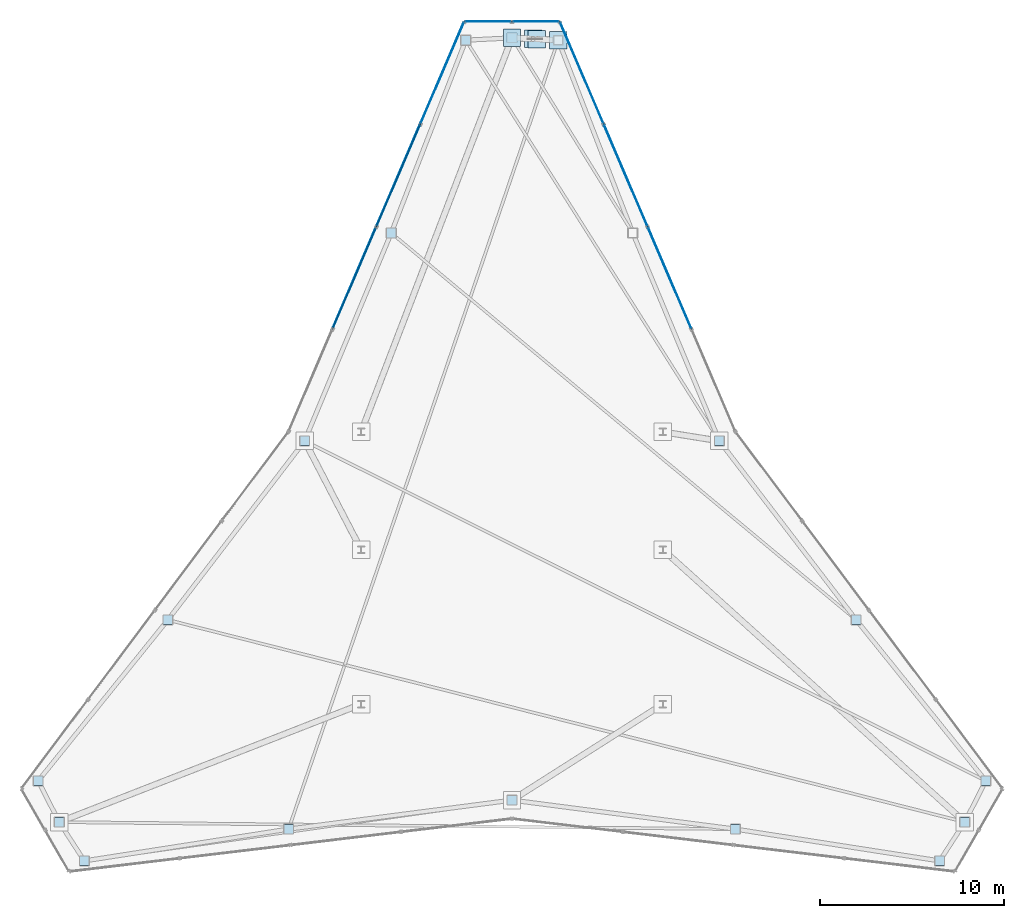
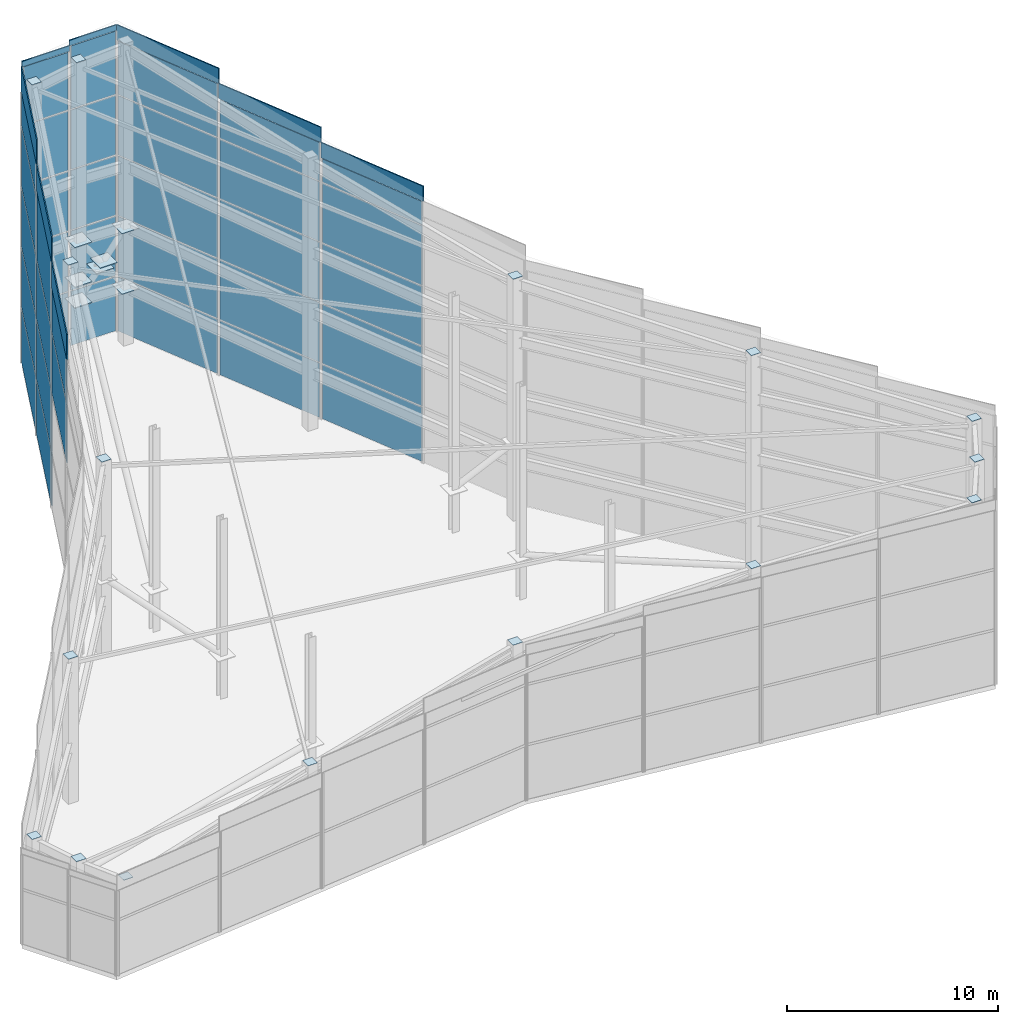
# One storey, part 16 of 17: 67 plates, 8 elements without a shape of their own.
"""IFC4 building model written with IfcOpenShell, lengths in metres."""

from ifc_helpers import new_model, si_unit, direction, frame, origin, origin_2d, place, context, subcontext, project, spatial, rectangle, extrude, source, transform, mapped, material, layer, layer_set, type_object, type_shapes, element, aggregate, save


model = new_model("IFC4")

# Units and contexts
model_context = context("Model", 3, precision=1e-05, world=origin(), true_north=direction((0.0, 1.0)))
body_context = subcontext(model_context, "Body", "Model", "MODEL_VIEW")
ifc_project = project(units=[si_unit("LENGTHUNIT", "METRE"), si_unit("AREAUNIT", "SQUARE_METRE"), si_unit("VOLUMEUNIT", "CUBIC_METRE"), si_unit("PLANEANGLEUNIT", "RADIAN"), si_unit("MASSUNIT", "GRAM", prefix="KILO")], contexts=[model_context])

# Site, building, storey
site_placement = place(None, origin())
site = spatial("IfcSite", under=ifc_project, at=site_placement, CompositionType="ELEMENT")
building_placement = place(site_placement, origin())
building = spatial("IfcBuilding", under=site, at=building_placement, Name="Varakhsha Concourse Tower", CompositionType="ELEMENT")
storey_placement = place(building_placement, frame((0.0, 0.0, 294.800048828125)))
storey = spatial("IfcBuildingStorey", under=building, at=storey_placement, Name="RF", CompositionType="ELEMENT", Elevation=294.800048828125)

# Plates
ifc_material_1 = material(Name="Structural Steel ASTM A572 Grade 50", Category="steel")
ifc_layer_1 = layer(ifc_material_1, 0.030029296875, Name="PL-ENDCAP-950")
ifc_layer_set_1 = layer_set([ifc_layer_1], Name="Structural Steel ASTM A572 Grade 50")
plate_type_1 = type_object("IfcPlateType", Name="PL-ENDCAP-950", PredefinedType="USERDEFINED", material=ifc_layer_set_1)
shared_shape_1 = source(origin(), body_context, "Body", "SweptSolid", [
    extrude(rectangle(XDim=0.949951171875, YDim=0.949951171875, at=origin_2d()), origin(), (0.0, 0.0, 1.0), 0.030029296875),
])
type_shapes(plate_type_1, [shared_shape_1])
for number, where, z_axis, x_axis, name in (
    (1, (40.0, 52.61669921875, 4.384765625), (0.0, 0.0, 1.0), (1.0, 0.0, 0.0), "Hollow Section End Cap GP-NODE-RF-0883"),
    (2, (42.510498046875, 52.48876953125, 3.18505859375), (0.0, 0.0, 1.0), (1.0, 0.0, 0.0), "Hollow Section End Cap GP-NODE-RF-0886"),
    (3, (40.0, 52.61669921875, 6.68505859375), (0.0, 0.0, 1.0), (1.0, 0.0, 0.0), "Hollow Section End Cap GP-NODE-RF-0887"),
    (4, (40.0, 52.61669921875, 3.18505859375), (0.0, 0.0, 1.0), (1.0, 0.0, 0.0), "Hollow Section End Cap GP-NODE-RF-0888"),
    (5, (41.1591796875, 52.5576171875, 4.80078125), (0.0, 0.0, 1.0), (1.0, 0.0, 0.0), "Hollow Section End Cap GP-NODE-RF-0889"),
    (6, (41.351318359375, 52.5478515625, 5.06884765625), (0.0, 0.0, 1.0), (1.0, 0.0, 0.0), "Hollow Section End Cap GP-NODE-RF-0890"),
    (7, (42.510498046875, 52.48876953125, 6.68505859375), (0.0, 0.0, 1.0), (1.0, 0.0, 0.0), "Hollow Section End Cap GP-NODE-RF-0891"),
):
    element("IfcPlate", number, at=place(storey_placement, frame(where, z_axis=z_axis, x_axis=x_axis)), inside=storey, type_object=plate_type_1, Name=name, ObjectType="END PLATE", PredefinedType="USERDEFINED", context=body_context, shape_type="MappedRepresentation", body=[
        mapped(shared_shape_1, transform((0.0, 0.0, 0.0), scale=1.0)),
    ])
ifc_layer_2 = layer(ifc_material_1, 0.02490234375, Name="PL-ENDCAP-500")
ifc_layer_set_2 = layer_set([ifc_layer_2], Name="Structural Steel ASTM A572 Grade 50")
plate_type_2 = type_object("IfcPlateType", Name="PL-ENDCAP-500", PredefinedType="USERDEFINED", material=ifc_layer_set_2)
shared_shape_2 = source(origin(), body_context, "Body", "SweptSolid", [
    extrude(rectangle(XDim=0.52001953125, YDim=0.52001953125, at=origin_2d()), origin(), (0.0, 0.0, 1.0), 0.02490234375),
])
type_shapes(plate_type_2, [shared_shape_2])
for number, where, z_axis, x_axis, name in (
    (8, (40.0, 52.61669921875, 17.1923828125), (0.0, 0.0, 1.0), (1.0, 0.0, 0.0), "Hollow Section End Cap EP-CP02-TOP"),
    (9, (37.489501953125, 52.48876953125, 16.864501953125), (0.0, 0.0, 1.0), (1.0, 0.0, 0.0), "Hollow Section End Cap EP-CP03-TOP"),
    (10, (33.43505859375, 42.008544921875, 14.19873046875), (0.0, 0.0, 1.0), (1.0, 0.0, 0.0), "Hollow Section End Cap EP-CP04-TOP"),
    (11, (28.728759765625, 30.70751953125, 11.2841796875), (0.0, 0.0, 1.0), (1.0, 0.0, 0.0), "Hollow Section End Cap EP-CP05-TOP"),
    (12, (21.294921875, 20.981201171875, 8.36962890625), (0.0, 0.0, 1.0), (1.0, 0.0, 0.0), "Hollow Section End Cap EP-CP06-TOP"),
    (13, (14.24609375, 12.229736328125, 5.703857421875), (0.0, 0.0, 1.0), (1.0, 0.0, 0.0), "Hollow Section End Cap EP-CP07-TOP"),
    (14, (15.390380859375, 9.99169921875, 5.3759765625), (0.0, 0.0, 1.0), (1.0, 0.0, 0.0), "Hollow Section End Cap EP-CP08-TOP"),
    (15, (16.756591796875, 7.881591796875, 5.101318359375), (0.0, 0.0, 1.0), (1.0, 0.0, 0.0), "Hollow Section End Cap EP-CP09-TOP"),
    (16, (27.85986328125, 9.6103515625, 6.79345703125), (0.0, 0.0, 1.0), (1.0, 0.0, 0.0), "Hollow Section End Cap EP-CP10-TOP"),
    (17, (40.0, 11.18505859375, 8.578125), (0.0, 0.0, 1.0), (1.0, 0.0, 0.0), "Hollow Section End Cap EP-CP11-TOP"),
    (18, (52.14013671875, 9.6103515625, 9.7080078125), (0.0, 0.0, 1.0), (1.0, 0.0, 0.0), "Hollow Section End Cap EP-CP12-TOP"),
    (19, (63.243408203125, 7.881591796875, 10.681396484375), (0.0, 0.0, 1.0), (1.0, 0.0, 0.0), "Hollow Section End Cap EP-CP13-TOP"),
    (20, (64.609619140625, 9.99169921875, 11.2841796875), (0.0, 0.0, 1.0), (1.0, 0.0, 0.0), "Hollow Section End Cap EP-CP14-TOP"),
    (21, (65.75390625, 12.229736328125, 11.886962890625), (0.0, 0.0, 1.0), (1.0, 0.0, 0.0), "Hollow Section End Cap EP-CP15-TOP"),
    (22, (58.705078125, 20.981201171875, 12.8603515625), (0.0, 0.0, 1.0), (1.0, 0.0, 0.0), "Hollow Section End Cap EP-CP16-TOP"),
    (23, (51.271240234375, 30.70751953125, 13.990234375), (0.0, 0.0, 1.0), (1.0, 0.0, 0.0), "Hollow Section End Cap EP-CP17-TOP"),
):
    element("IfcPlate", number, at=place(storey_placement, frame(where, z_axis=z_axis, x_axis=x_axis)), inside=storey, type_object=plate_type_2, Name=name, ObjectType="END PLATE", PredefinedType="USERDEFINED", context=body_context, shape_type="MappedRepresentation", body=[
        mapped(shared_shape_2, transform((0.0, 0.0, 0.0), scale=1.0)),
    ])

# Curtain wall, plate
ifc_material_2 = material(Name="Anodised Bronze Architectural Aluminium AA 6063-T6", Category="aluminium")
ifc_layer_3 = layer(ifc_material_2, 0.219970703125, Name="CW-SYS-07")
ifc_layer_set_3 = layer_set([ifc_layer_3], Name="Anodised Bronze Architectural Aluminium AA 6063-T6")
curtain_wall_type = type_object("IfcCurtainWallType", Name="CW-SYS-07", PredefinedType="NOTDEFINED", material=ifc_layer_set_3)
curtain_wall_1_placement = place(storey_placement, origin())
curtain_wall_1 = element("IfcCurtainWall", 24, at=curtain_wall_1_placement, inside=storey, type_object=curtain_wall_type, Name="Slanted Crown Curtain Wall F1-S1", PredefinedType="NOTDEFINED")
ifc_material_3 = material(Name="Insulated Anodised Bronze Aluminium Spandrel 36 mm", Category="aluminium")
ifc_layer_4 = layer(ifc_material_3, 0.035888671875, Name="CWP-SPN-36")
ifc_layer_set_4 = layer_set([ifc_layer_4], Name="Insulated Anodised Bronze Aluminium Spandrel 36 mm")
plate_type_3 = type_object("IfcPlateType", Name="CWP-SPN-36", PredefinedType="USERDEFINED", material=ifc_layer_set_4)
shared_shape_3 = source(origin(), body_context, "Body", "SweptSolid", [
    extrude(rectangle(XDim=2.430908203125, YDim=0.035888671875, at=origin_2d()), origin(), (0.0, 0.0, 1.0), 3.135986328125),
])
plate_1_placement = place(storey_placement, frame((41.300048828125, 53.49658203125, 0.03173828125), z_axis=(0.0, 0.0, 1.0), x_axis=(1.0, 0.0, 0.0)))
plate_1 = element("IfcPlate", 25, at=plate_1_placement, type_object=plate_type_3, Name="CW-RF-F1S1 Panel 00-00", ObjectType="SPANDREL", PredefinedType="USERDEFINED", context=body_context, shape_type="MappedRepresentation", body=[
    mapped(shared_shape_3, transform((0.0, 0.0, 0.0), scale=1.0)),
])

curtain_wall_2_placement = place(storey_placement, origin())
curtain_wall_2 = element("IfcCurtainWall", 26, at=curtain_wall_2_placement, inside=storey, type_object=curtain_wall_type, Name="Slanted Crown Curtain Wall F1-S2", PredefinedType="NOTDEFINED")
plate_2_placement = place(storey_placement, frame((38.699951171875, 53.49658203125, 0.03173828125), z_axis=(0.0, 0.0, 1.0), x_axis=(1.0, 0.0, 0.0)))
plate_2 = element("IfcPlate", 27, at=plate_2_placement, type_object=plate_type_3, Name="CW-RF-F1S2 Panel 00-00", ObjectType="SPANDREL", PredefinedType="USERDEFINED", context=body_context, shape_type="MappedRepresentation", body=[
    mapped(shared_shape_3, transform((0.0, 0.0, 0.0), scale=1.0)),
])

# Plate
shared_shape_4 = source(origin(), body_context, "Body", "SweptSolid", [
    extrude(rectangle(XDim=2.430908203125, YDim=0.035888671875, at=origin_2d()), origin(), (0.0, 0.0, 1.0), 3.43603515625),
])
plate_3_placement = place(storey_placement, frame((41.300048828125, 53.49658203125, 3.23193359375), z_axis=(0.0, 0.0, 1.0), x_axis=(1.0, 0.0, 0.0)))
plate_3 = element("IfcPlate", 28, at=plate_3_placement, type_object=plate_type_3, Name="CW-RF-F1S1 Panel 00-01", ObjectType="SPANDREL", PredefinedType="USERDEFINED", context=body_context, shape_type="MappedRepresentation", body=[
    mapped(shared_shape_4, transform((0.0, 0.0, 0.0), scale=1.0)),
])

plate_4_placement = place(storey_placement, frame((41.300048828125, 53.49658203125, 6.73193359375), z_axis=(0.0, 0.0, 1.0), x_axis=(1.0, 0.0, 0.0)))
plate_4 = element("IfcPlate", 29, at=plate_4_placement, type_object=plate_type_3, Name="CW-RF-F1S1 Panel 00-02", ObjectType="SPANDREL", PredefinedType="USERDEFINED", context=body_context, shape_type="MappedRepresentation", body=[
    mapped(shared_shape_4, transform((0.0, 0.0, 0.0), scale=1.0)),
])

plate_5_placement = place(storey_placement, frame((41.300048828125, 53.49658203125, 10.23193359375), z_axis=(0.0, 0.0, 1.0), x_axis=(1.0, 0.0, 0.0)))
plate_5 = element("IfcPlate", 30, at=plate_5_placement, type_object=plate_type_3, Name="CW-RF-F1S1 Panel 00-03", ObjectType="SPANDREL", PredefinedType="USERDEFINED", context=body_context, shape_type="MappedRepresentation", body=[
    mapped(shared_shape_4, transform((0.0, 0.0, 0.0), scale=1.0)),
])

plate_6_placement = place(storey_placement, frame((38.699951171875, 53.49658203125, 3.23193359375), z_axis=(0.0, 0.0, 1.0), x_axis=(1.0, 0.0, 0.0)))
plate_6 = element("IfcPlate", 31, at=plate_6_placement, type_object=plate_type_3, Name="CW-RF-F1S2 Panel 00-01", ObjectType="SPANDREL", PredefinedType="USERDEFINED", context=body_context, shape_type="MappedRepresentation", body=[
    mapped(shared_shape_4, transform((0.0, 0.0, 0.0), scale=1.0)),
])

plate_7_placement = place(storey_placement, frame((38.699951171875, 53.49658203125, 6.73193359375), z_axis=(0.0, 0.0, 1.0), x_axis=(1.0, 0.0, 0.0)))
plate_7 = element("IfcPlate", 32, at=plate_7_placement, type_object=plate_type_3, Name="CW-RF-F1S2 Panel 00-02", ObjectType="SPANDREL", PredefinedType="USERDEFINED", context=body_context, shape_type="MappedRepresentation", body=[
    mapped(shared_shape_4, transform((0.0, 0.0, 0.0), scale=1.0)),
])

plate_8_placement = place(storey_placement, frame((38.699951171875, 53.49658203125, 10.23193359375), z_axis=(0.0, 0.0, 1.0), x_axis=(1.0, 0.0, 0.0)))
plate_8 = element("IfcPlate", 33, at=plate_8_placement, type_object=plate_type_3, Name="CW-RF-F1S2 Panel 00-03", ObjectType="SPANDREL", PredefinedType="USERDEFINED", context=body_context, shape_type="MappedRepresentation", body=[
    mapped(shared_shape_4, transform((0.0, 0.0, 0.0), scale=1.0)),
])

shared_shape_5 = source(origin(), body_context, "Body", "SweptSolid", [
    extrude(rectangle(XDim=2.430908203125, YDim=0.035888671875, at=origin_2d()), origin(), (0.0, 0.0, 1.0), 3.65380859375),
])
plate_9_placement = place(storey_placement, frame((41.300048828125, 53.49658203125, 13.73193359375), z_axis=(0.0, 0.0, 1.0), x_axis=(1.0, 0.0, 0.0)))
plate_9 = element("IfcPlate", 34, at=plate_9_placement, type_object=plate_type_3, Name="CW-RF-F1S1 Panel 00-04", ObjectType="SPANDREL", PredefinedType="USERDEFINED", context=body_context, shape_type="MappedRepresentation", body=[
    mapped(shared_shape_5, transform((0.0, 0.0, 0.0), scale=1.0)),
])

aggregate(curtain_wall_1, [plate_1, plate_3, plate_4, plate_5, plate_9])

# Plates
shared_shape_6 = source(origin(), body_context, "Body", "SweptSolid", [
    extrude(rectangle(XDim=2.60009765625, YDim=0.06005859375, at=origin_2d()), origin(), (0.0, 0.0, 1.0), 0.320068359375),
])
for number, where, z_axis, x_axis, name in (
    (35, (41.300048828125, 53.49658203125, 17.4296875), (0.0, 0.0, 1.0), (1.0, 0.0, 0.0), "Crown Sloped Fascia Wedge Closure F1-S1"),
    (36, (38.699951171875, 53.49658203125, 17.11767578125), (0.0, 0.0, 1.0), (1.0, 0.0, 0.0), "Crown Sloped Fascia Wedge Closure F1-S2"),
):
    element("IfcPlate", number, at=place(storey_placement, frame(where, z_axis=z_axis, x_axis=x_axis)), inside=storey, type_object=plate_type_3, Name=name, ObjectType="SPANDREL", PredefinedType="USERDEFINED", context=body_context, shape_type="MappedRepresentation", body=[
        mapped(shared_shape_6, transform((0.0, 0.0, 0.0), scale=1.0)),
    ])

# Plate
shared_shape_7 = source(origin(), body_context, "Body", "SweptSolid", [
    extrude(rectangle(XDim=2.430908203125, YDim=0.035888671875, at=origin_2d()), origin(), (0.0, 0.0, 1.0), 3.341796875),
])
plate_10_placement = place(storey_placement, frame((38.699951171875, 53.49658203125, 13.73193359375), z_axis=(0.0, 0.0, 1.0), x_axis=(1.0, 0.0, 0.0)))
plate_10 = element("IfcPlate", 37, at=plate_10_placement, type_object=plate_type_3, Name="CW-RF-F1S2 Panel 00-04", ObjectType="SPANDREL", PredefinedType="USERDEFINED", context=body_context, shape_type="MappedRepresentation", body=[
    mapped(shared_shape_7, transform((0.0, 0.0, 0.0), scale=1.0)),
])

aggregate(curtain_wall_2, [plate_2, plate_6, plate_7, plate_8, plate_10])

# Curtain wall, plate
curtain_wall_3_placement = place(storey_placement, origin())
curtain_wall_3 = element("IfcCurtainWall", 38, at=curtain_wall_3_placement, inside=storey, type_object=curtain_wall_type, Name="Slanted Crown Curtain Wall F2-S1", PredefinedType="NOTDEFINED")
ifc_material_4 = material(Name="Low-E Triple Insulating Glass IGU 44 mm", Category="glass")
ifc_layer_5 = layer(ifc_material_4, 0.0439453125, Name="CWP-IGU-44")
ifc_layer_set_5 = layer_set([ifc_layer_5], Name="Low-E Triple Insulating Glass IGU 44 mm")
plate_type_4 = type_object("IfcPlateType", Name="CWP-IGU-44", PredefinedType="CURTAIN_PANEL", material=ifc_layer_set_5)
shared_shape_8 = source(origin(), body_context, "Body", "SweptSolid", [
    extrude(rectangle(XDim=5.8916015625, YDim=0.0439453125, at=origin_2d()), origin(), (0.0, 0.0, 1.0), 3.135986328125),
])
plate_11_placement = place(storey_placement, frame((36.20654296875, 50.711181640625, 0.03173828125), z_axis=(0.0, 0.0, 1.0), x_axis=(0.393840843001, 0.919178649874, 0.0)))
plate_11 = element("IfcPlate", 39, at=plate_11_placement, type_object=plate_type_4, Name="CW-RF-F2S1 Panel 00-00", PredefinedType="CURTAIN_PANEL", context=body_context, shape_type="MappedRepresentation", body=[
    mapped(shared_shape_8, transform((0.0, 0.0, 0.0), scale=1.0)),
])

curtain_wall_4_placement = place(storey_placement, origin())
curtain_wall_4 = element("IfcCurtainWall", 40, at=curtain_wall_4_placement, inside=storey, type_object=curtain_wall_type, Name="Slanted Crown Curtain Wall F2-S2", PredefinedType="NOTDEFINED")
plate_12_placement = place(storey_placement, frame((33.819580078125, 45.140380859375, 0.03173828125), z_axis=(0.0, 0.0, 1.0), x_axis=(0.393855281377, 0.919172463323, 0.0)))
plate_12 = element("IfcPlate", 41, at=plate_12_placement, type_object=plate_type_4, Name="CW-RF-F2S2 Panel 00-00", PredefinedType="CURTAIN_PANEL", context=body_context, shape_type="MappedRepresentation", body=[
    mapped(shared_shape_8, transform((0.0, 0.0, 0.0), scale=1.0)),
])

curtain_wall_5_placement = place(storey_placement, origin())
curtain_wall_5 = element("IfcCurtainWall", 42, at=curtain_wall_5_placement, inside=storey, type_object=curtain_wall_type, Name="Slanted Crown Curtain Wall F9-S2", PredefinedType="NOTDEFINED")
plate_13_placement = place(storey_placement, frame((48.5673828125, 39.569580078125, 0.03173828125), z_axis=(0.0, 0.0, 1.0), x_axis=(0.393840843001, -0.919178649874, 0.0)))
plate_13 = element("IfcPlate", 43, at=plate_13_placement, type_object=plate_type_4, Name="CW-RF-F9S2 Panel 00-00", PredefinedType="CURTAIN_PANEL", context=body_context, shape_type="MappedRepresentation", body=[
    mapped(shared_shape_8, transform((0.0, 0.0, 0.0), scale=1.0)),
])

curtain_wall_6_placement = place(storey_placement, origin())
curtain_wall_6 = element("IfcCurtainWall", 44, at=curtain_wall_6_placement, inside=storey, type_object=curtain_wall_type, Name="Slanted Crown Curtain Wall F9-S3", PredefinedType="NOTDEFINED")
plate_14_placement = place(storey_placement, frame((46.180419921875, 45.140380859375, 0.03173828125), z_axis=(0.0, 0.0, 1.0), x_axis=(0.393855281377, -0.919172463323, 0.0)))
plate_14 = element("IfcPlate", 45, at=plate_14_placement, type_object=plate_type_4, Name="CW-RF-F9S3 Panel 00-00", PredefinedType="CURTAIN_PANEL", context=body_context, shape_type="MappedRepresentation", body=[
    mapped(shared_shape_8, transform((0.0, 0.0, 0.0), scale=1.0)),
])

# Plate
shared_shape_9 = source(origin(), body_context, "Body", "SweptSolid", [
    extrude(rectangle(XDim=5.8916015625, YDim=0.0439453125, at=origin_2d()), origin(), (0.0, 0.0, 1.0), 3.43603515625),
])
type_shapes(plate_type_4, [shared_shape_8, shared_shape_9])
plate_15_placement = place(storey_placement, frame((36.20654296875, 50.711181640625, 3.23193359375), z_axis=(0.0, 0.0, 1.0), x_axis=(0.393840843001, 0.919178649874, 0.0)))
plate_15 = element("IfcPlate", 46, at=plate_15_placement, type_object=plate_type_4, Name="CW-RF-F2S1 Panel 00-01", PredefinedType="CURTAIN_PANEL", context=body_context, shape_type="MappedRepresentation", body=[
    mapped(shared_shape_9, transform((0.0, 0.0, 0.0), scale=1.0)),
])

plate_16_placement = place(storey_placement, frame((36.20654296875, 50.711181640625, 6.73193359375), z_axis=(0.0, 0.0, 1.0), x_axis=(0.393840843001, 0.919178649874, 0.0)))
plate_16 = element("IfcPlate", 47, at=plate_16_placement, type_object=plate_type_4, Name="CW-RF-F2S1 Panel 00-02", PredefinedType="CURTAIN_PANEL", context=body_context, shape_type="MappedRepresentation", body=[
    mapped(shared_shape_9, transform((0.0, 0.0, 0.0), scale=1.0)),
])

plate_17_placement = place(storey_placement, frame((36.20654296875, 50.711181640625, 10.23193359375), z_axis=(0.0, 0.0, 1.0), x_axis=(0.393840843001, 0.919178649874, 0.0)))
plate_17 = element("IfcPlate", 48, at=plate_17_placement, type_object=plate_type_4, Name="CW-RF-F2S1 Panel 00-03", PredefinedType="CURTAIN_PANEL", context=body_context, shape_type="MappedRepresentation", body=[
    mapped(shared_shape_9, transform((0.0, 0.0, 0.0), scale=1.0)),
])

plate_18_placement = place(storey_placement, frame((33.819580078125, 45.140380859375, 3.23193359375), z_axis=(0.0, 0.0, 1.0), x_axis=(0.393855281377, 0.919172463323, 0.0)))
plate_18 = element("IfcPlate", 49, at=plate_18_placement, type_object=plate_type_4, Name="CW-RF-F2S2 Panel 00-01", PredefinedType="CURTAIN_PANEL", context=body_context, shape_type="MappedRepresentation", body=[
    mapped(shared_shape_9, transform((0.0, 0.0, 0.0), scale=1.0)),
])

plate_19_placement = place(storey_placement, frame((33.819580078125, 45.140380859375, 6.73193359375), z_axis=(0.0, 0.0, 1.0), x_axis=(0.393855281377, 0.919172463323, 0.0)))
plate_19 = element("IfcPlate", 50, at=plate_19_placement, type_object=plate_type_4, Name="CW-RF-F2S2 Panel 00-02", PredefinedType="CURTAIN_PANEL", context=body_context, shape_type="MappedRepresentation", body=[
    mapped(shared_shape_9, transform((0.0, 0.0, 0.0), scale=1.0)),
])

# Curtain wall, plate
curtain_wall_7_placement = place(storey_placement, origin())
curtain_wall_7 = element("IfcCurtainWall", 51, at=curtain_wall_7_placement, inside=storey, type_object=curtain_wall_type, Name="Slanted Crown Curtain Wall F2-S3", PredefinedType="NOTDEFINED")
plate_20_placement = place(storey_placement, frame((31.4326171875, 39.569580078125, 6.73193359375), z_axis=(0.0, 0.0, 1.0), x_axis=(0.393840843001, 0.919178649874, 0.0)))
plate_20 = element("IfcPlate", 52, at=plate_20_placement, type_object=plate_type_4, Name="CW-RF-F2S3 Panel 00-02", PredefinedType="CURTAIN_PANEL", context=body_context, shape_type="MappedRepresentation", body=[
    mapped(shared_shape_9, transform((0.0, 0.0, 0.0), scale=1.0)),
])

# Plate
plate_21_placement = place(storey_placement, frame((48.5673828125, 39.569580078125, 3.23193359375), z_axis=(0.0, 0.0, 1.0), x_axis=(0.393840843001, -0.919178649874, 0.0)))
plate_21 = element("IfcPlate", 53, at=plate_21_placement, type_object=plate_type_4, Name="CW-RF-F9S2 Panel 00-01", PredefinedType="CURTAIN_PANEL", context=body_context, shape_type="MappedRepresentation", body=[
    mapped(shared_shape_9, transform((0.0, 0.0, 0.0), scale=1.0)),
])

plate_22_placement = place(storey_placement, frame((48.5673828125, 39.569580078125, 6.73193359375), z_axis=(0.0, 0.0, 1.0), x_axis=(0.393840843001, -0.919178649874, 0.0)))
plate_22 = element("IfcPlate", 54, at=plate_22_placement, type_object=plate_type_4, Name="CW-RF-F9S2 Panel 00-02", PredefinedType="CURTAIN_PANEL", context=body_context, shape_type="MappedRepresentation", body=[
    mapped(shared_shape_9, transform((0.0, 0.0, 0.0), scale=1.0)),
])

plate_23_placement = place(storey_placement, frame((48.5673828125, 39.569580078125, 10.23193359375), z_axis=(0.0, 0.0, 1.0), x_axis=(0.393840843001, -0.919178649874, 0.0)))
plate_23 = element("IfcPlate", 55, at=plate_23_placement, type_object=plate_type_4, Name="CW-RF-F9S2 Panel 00-03", PredefinedType="CURTAIN_PANEL", context=body_context, shape_type="MappedRepresentation", body=[
    mapped(shared_shape_9, transform((0.0, 0.0, 0.0), scale=1.0)),
])

plate_24_placement = place(storey_placement, frame((46.180419921875, 45.140380859375, 3.23193359375), z_axis=(0.0, 0.0, 1.0), x_axis=(0.393855281377, -0.919172463323, 0.0)))
plate_24 = element("IfcPlate", 56, at=plate_24_placement, type_object=plate_type_4, Name="CW-RF-F9S3 Panel 00-01", PredefinedType="CURTAIN_PANEL", context=body_context, shape_type="MappedRepresentation", body=[
    mapped(shared_shape_9, transform((0.0, 0.0, 0.0), scale=1.0)),
])

plate_25_placement = place(storey_placement, frame((46.180419921875, 45.140380859375, 6.73193359375), z_axis=(0.0, 0.0, 1.0), x_axis=(0.393855281377, -0.919172463323, 0.0)))
plate_25 = element("IfcPlate", 57, at=plate_25_placement, type_object=plate_type_4, Name="CW-RF-F9S3 Panel 00-02", PredefinedType="CURTAIN_PANEL", context=body_context, shape_type="MappedRepresentation", body=[
    mapped(shared_shape_9, transform((0.0, 0.0, 0.0), scale=1.0)),
])

plate_26_placement = place(storey_placement, frame((46.180419921875, 45.140380859375, 10.23193359375), z_axis=(0.0, 0.0, 1.0), x_axis=(0.393855281377, -0.919172463323, 0.0)))
plate_26 = element("IfcPlate", 58, at=plate_26_placement, type_object=plate_type_4, Name="CW-RF-F9S3 Panel 00-03", PredefinedType="CURTAIN_PANEL", context=body_context, shape_type="MappedRepresentation", body=[
    mapped(shared_shape_9, transform((0.0, 0.0, 0.0), scale=1.0)),
])

shared_shape_10 = source(origin(), body_context, "Body", "SweptSolid", [
    extrude(rectangle(XDim=5.8916015625, YDim=0.035888671875, at=origin_2d()), origin(), (0.0, 0.0, 1.0), 1.89697265625),
])
plate_27_placement = place(storey_placement, frame((36.20654296875, 50.711181640625, 13.73193359375), z_axis=(0.0, 0.0, 1.0), x_axis=(0.393840843001, 0.919178649874, 0.0)))
plate_27 = element("IfcPlate", 59, at=plate_27_placement, type_object=plate_type_3, Name="CW-RF-F2S1 Panel 00-04", ObjectType="SPANDREL", PredefinedType="USERDEFINED", context=body_context, shape_type="MappedRepresentation", body=[
    mapped(shared_shape_10, transform((0.0, 0.0, 0.0), scale=1.0)),
])

aggregate(curtain_wall_3, [plate_11, plate_15, plate_16, plate_17, plate_27])

shared_shape_11 = source(origin(), body_context, "Body", "SweptSolid", [
    extrude(rectangle(XDim=6.060546875, YDim=0.06005859375, at=origin_2d()), origin(), (0.0, 0.0, 1.0), 1.452880859375),
])
plate_28_placement = place(storey_placement, frame((36.20654296875, 50.711181640625, 15.6728515625), z_axis=(0.0, 0.0, 1.0), x_axis=(0.393845655803, 0.919176587716, 0.0)))
element("IfcPlate", 60, at=plate_28_placement, inside=storey, type_object=plate_type_3, Name="Crown Sloped Fascia Wedge Closure F2-S1", ObjectType="SPANDREL", PredefinedType="USERDEFINED", context=body_context, shape_type="MappedRepresentation", body=[
    mapped(shared_shape_11, transform((0.0, 0.0, 0.0), scale=1.0)),
])

shared_shape_12 = source(origin(), body_context, "Body", "SweptSolid", [
    extrude(rectangle(XDim=5.8916015625, YDim=0.035888671875, at=origin_2d()), origin(), (0.0, 0.0, 1.0), 3.9521484375),
])
plate_29_placement = place(storey_placement, frame((33.819580078125, 45.140380859375, 10.23193359375), z_axis=(0.0, 0.0, 1.0), x_axis=(0.393855281377, 0.919172463323, 0.0)))
plate_29 = element("IfcPlate", 61, at=plate_29_placement, type_object=plate_type_3, Name="CW-RF-F2S2 Panel 00-03", ObjectType="SPANDREL", PredefinedType="USERDEFINED", context=body_context, shape_type="MappedRepresentation", body=[
    mapped(shared_shape_12, transform((0.0, 0.0, 0.0), scale=1.0)),
])

aggregate(curtain_wall_4, [plate_12, plate_18, plate_19, plate_29])

shared_shape_13 = source(origin(), body_context, "Body", "SweptSolid", [
    extrude(rectangle(XDim=6.060791015625, YDim=0.06005859375, at=origin_2d()), origin(), (0.0, 0.0, 1.0), 1.452880859375),
])
plate_30_placement = place(storey_placement, frame((33.819580078125, 45.140380859375, 14.22802734375), z_axis=(0.0, 0.0, 1.0), x_axis=(0.393845655803, 0.919176587716, 0.0)))
element("IfcPlate", 62, at=plate_30_placement, inside=storey, type_object=plate_type_3, Name="Crown Sloped Fascia Wedge Closure F2-S2", ObjectType="SPANDREL", PredefinedType="USERDEFINED", context=body_context, shape_type="MappedRepresentation", body=[
    mapped(shared_shape_13, transform((0.0, 0.0, 0.0), scale=1.0)),
])

shared_shape_14 = source(origin(), body_context, "Body", "SweptSolid", [
    extrude(rectangle(XDim=5.8916015625, YDim=0.035888671875, at=origin_2d()), origin(), (0.0, 0.0, 1.0), 2.507568359375),
])
plate_31_placement = place(storey_placement, frame((31.4326171875, 39.569580078125, 10.23193359375), z_axis=(0.0, 0.0, 1.0), x_axis=(0.393840843001, 0.919178649874, 0.0)))
plate_31 = element("IfcPlate", 63, at=plate_31_placement, type_object=plate_type_3, Name="CW-RF-F2S3 Panel 00-03", ObjectType="SPANDREL", PredefinedType="USERDEFINED", context=body_context, shape_type="MappedRepresentation", body=[
    mapped(shared_shape_14, transform((0.0, 0.0, 0.0), scale=1.0)),
])

aggregate(curtain_wall_7, [plate_20, plate_31])

shared_shape_15 = source(origin(), body_context, "Body", "SweptSolid", [
    extrude(rectangle(XDim=6.060546875, YDim=0.06005859375, at=origin_2d()), origin(), (0.0, 0.0, 1.0), 1.45263671875),
])
plate_32_placement = place(storey_placement, frame((31.4326171875, 39.569580078125, 12.783447265625), z_axis=(0.0, 0.0, 1.0), x_axis=(0.393845655803, 0.919176587716, 0.0)))
element("IfcPlate", 64, at=plate_32_placement, inside=storey, type_object=plate_type_3, Name="Crown Sloped Fascia Wedge Closure F2-S3", ObjectType="SPANDREL", PredefinedType="USERDEFINED", context=body_context, shape_type="MappedRepresentation", body=[
    mapped(shared_shape_15, transform((0.0, 0.0, 0.0), scale=1.0)),
])

# Curtain wall, plates
curtain_wall_8_placement = place(storey_placement, origin())
curtain_wall_8 = element("IfcCurtainWall", 65, at=curtain_wall_8_placement, inside=storey, type_object=curtain_wall_type, Name="Slanted Crown Curtain Wall F9-S4", PredefinedType="NOTDEFINED")
shared_shape_16 = source(origin(), body_context, "Body", "SweptSolid", [
    extrude(rectangle(XDim=5.8916015625, YDim=0.035888671875, at=origin_2d()), origin(), (0.0, 0.0, 1.0), 3.135986328125),
])
plate_33_placement = place(storey_placement, frame((43.79345703125, 50.711181640625, 0.03173828125), z_axis=(0.0, 0.0, 1.0), x_axis=(0.393840843001, -0.919178649874, 0.0)))
plate_33 = element("IfcPlate", 66, at=plate_33_placement, type_object=plate_type_3, Name="CW-RF-F9S4 Panel 00-00", ObjectType="SPANDREL", PredefinedType="USERDEFINED", context=body_context, shape_type="MappedRepresentation", body=[
    mapped(shared_shape_16, transform((0.0, 0.0, 0.0), scale=1.0)),
])
shared_shape_17 = source(origin(), body_context, "Body", "SweptSolid", [
    extrude(rectangle(XDim=5.8916015625, YDim=0.035888671875, at=origin_2d()), origin(), (0.0, 0.0, 1.0), 3.43603515625),
])
plate_34_placement = place(storey_placement, frame((43.79345703125, 50.711181640625, 3.23193359375), z_axis=(0.0, 0.0, 1.0), x_axis=(0.393840843001, -0.919178649874, 0.0)))
plate_34 = element("IfcPlate", 67, at=plate_34_placement, type_object=plate_type_3, Name="CW-RF-F9S4 Panel 00-01", ObjectType="SPANDREL", PredefinedType="USERDEFINED", context=body_context, shape_type="MappedRepresentation", body=[
    mapped(shared_shape_17, transform((0.0, 0.0, 0.0), scale=1.0)),
])
plate_35_placement = place(storey_placement, frame((43.79345703125, 50.711181640625, 6.73193359375), z_axis=(0.0, 0.0, 1.0), x_axis=(0.393840843001, -0.919178649874, 0.0)))
plate_35 = element("IfcPlate", 68, at=plate_35_placement, type_object=plate_type_3, Name="CW-RF-F9S4 Panel 00-02", ObjectType="SPANDREL", PredefinedType="USERDEFINED", context=body_context, shape_type="MappedRepresentation", body=[
    mapped(shared_shape_17, transform((0.0, 0.0, 0.0), scale=1.0)),
])
plate_36_placement = place(storey_placement, frame((43.79345703125, 50.711181640625, 10.23193359375), z_axis=(0.0, 0.0, 1.0), x_axis=(0.393840843001, -0.919178649874, 0.0)))
plate_36 = element("IfcPlate", 69, at=plate_36_placement, type_object=plate_type_3, Name="CW-RF-F9S4 Panel 00-03", ObjectType="SPANDREL", PredefinedType="USERDEFINED", context=body_context, shape_type="MappedRepresentation", body=[
    mapped(shared_shape_17, transform((0.0, 0.0, 0.0), scale=1.0)),
])

# Plates
shared_shape_18 = source(origin(), body_context, "Body", "SweptSolid", [
    extrude(rectangle(XDim=6.060546875, YDim=0.06005859375, at=origin_2d()), origin(), (0.0, 0.0, 1.0), 0.879638671875),
])
plate_37_placement = place(storey_placement, frame((43.79345703125, 50.711181640625, 16.8701171875), z_axis=(0.0, 0.0, 1.0), x_axis=(0.393845655803, -0.919176587716, 0.0)))
element("IfcPlate", 70, at=plate_37_placement, inside=storey, type_object=plate_type_3, Name="Crown Sloped Fascia Wedge Closure F9-S4", ObjectType="SPANDREL", PredefinedType="USERDEFINED", context=body_context, shape_type="MappedRepresentation", body=[
    mapped(shared_shape_18, transform((0.0, 0.0, 0.0), scale=1.0)),
])
shared_shape_19 = source(origin(), body_context, "Body", "SweptSolid", [
    extrude(rectangle(XDim=6.060791015625, YDim=0.06005859375, at=origin_2d()), origin(), (0.0, 0.0, 1.0), 0.879638671875),
])
plate_38_placement = place(storey_placement, frame((46.180419921875, 45.140380859375, 15.99853515625), z_axis=(0.0, 0.0, 1.0), x_axis=(0.393845655803, -0.919176587716, 0.0)))
element("IfcPlate", 71, at=plate_38_placement, inside=storey, type_object=plate_type_3, Name="Crown Sloped Fascia Wedge Closure F9-S3", ObjectType="SPANDREL", PredefinedType="USERDEFINED", context=body_context, shape_type="MappedRepresentation", body=[
    mapped(shared_shape_19, transform((0.0, 0.0, 0.0), scale=1.0)),
])
shared_shape_20 = source(origin(), body_context, "Body", "SweptSolid", [
    extrude(rectangle(XDim=6.060546875, YDim=0.06005859375, at=origin_2d()), origin(), (0.0, 0.0, 1.0), 0.8798828125),
])
plate_39_placement = place(storey_placement, frame((48.5673828125, 39.569580078125, 15.126708984375), z_axis=(0.0, 0.0, 1.0), x_axis=(0.393845655803, -0.919176587716, 0.0)))
element("IfcPlate", 72, at=plate_39_placement, inside=storey, type_object=plate_type_3, Name="Crown Sloped Fascia Wedge Closure F9-S2", ObjectType="SPANDREL", PredefinedType="USERDEFINED", context=body_context, shape_type="MappedRepresentation", body=[
    mapped(shared_shape_20, transform((0.0, 0.0, 0.0), scale=1.0)),
])

# Plate
shared_shape_21 = source(origin(), body_context, "Body", "SweptSolid", [
    extrude(rectangle(XDim=5.8916015625, YDim=0.035888671875, at=origin_2d()), origin(), (0.0, 0.0, 1.0), 1.350830078125),
])
plate_40_placement = place(storey_placement, frame((48.5673828125, 39.569580078125, 13.73193359375), z_axis=(0.0, 0.0, 1.0), x_axis=(0.393840843001, -0.919178649874, 0.0)))
plate_40 = element("IfcPlate", 73, at=plate_40_placement, type_object=plate_type_3, Name="CW-RF-F9S2 Panel 00-04", ObjectType="SPANDREL", PredefinedType="USERDEFINED", context=body_context, shape_type="MappedRepresentation", body=[
    mapped(shared_shape_21, transform((0.0, 0.0, 0.0), scale=1.0)),
])

aggregate(curtain_wall_5, [plate_13, plate_21, plate_22, plate_23, plate_40])

shared_shape_22 = source(origin(), body_context, "Body", "SweptSolid", [
    extrude(rectangle(XDim=5.8916015625, YDim=0.035888671875, at=origin_2d()), origin(), (0.0, 0.0, 1.0), 2.22265625),
])
plate_41_placement = place(storey_placement, frame((46.180419921875, 45.140380859375, 13.73193359375), z_axis=(0.0, 0.0, 1.0), x_axis=(0.393855281377, -0.919172463323, 0.0)))
plate_41 = element("IfcPlate", 74, at=plate_41_placement, type_object=plate_type_3, Name="CW-RF-F9S3 Panel 00-04", ObjectType="SPANDREL", PredefinedType="USERDEFINED", context=body_context, shape_type="MappedRepresentation", body=[
    mapped(shared_shape_22, transform((0.0, 0.0, 0.0), scale=1.0)),
])

aggregate(curtain_wall_6, [plate_14, plate_24, plate_25, plate_26, plate_41])

shared_shape_23 = source(origin(), body_context, "Body", "SweptSolid", [
    extrude(rectangle(XDim=5.8916015625, YDim=0.035888671875, at=origin_2d()), origin(), (0.0, 0.0, 1.0), 3.09423828125),
])
type_shapes(plate_type_3, [shared_shape_3, shared_shape_4, shared_shape_5, shared_shape_6, shared_shape_7, shared_shape_10, shared_shape_11, shared_shape_12, shared_shape_13, shared_shape_14, shared_shape_15, shared_shape_16, shared_shape_17, shared_shape_18, shared_shape_19, shared_shape_20, shared_shape_21, shared_shape_22, shared_shape_23])
plate_42_placement = place(storey_placement, frame((43.79345703125, 50.711181640625, 13.73193359375), z_axis=(0.0, 0.0, 1.0), x_axis=(0.393840843001, -0.919178649874, 0.0)))
plate_42 = element("IfcPlate", 75, at=plate_42_placement, type_object=plate_type_3, Name="CW-RF-F9S4 Panel 00-04", ObjectType="SPANDREL", PredefinedType="USERDEFINED", context=body_context, shape_type="MappedRepresentation", body=[
    mapped(shared_shape_23, transform((0.0, 0.0, 0.0), scale=1.0)),
])

aggregate(curtain_wall_8, [plate_33, plate_34, plate_35, plate_36, plate_42])

save(model, "model.ifc")
